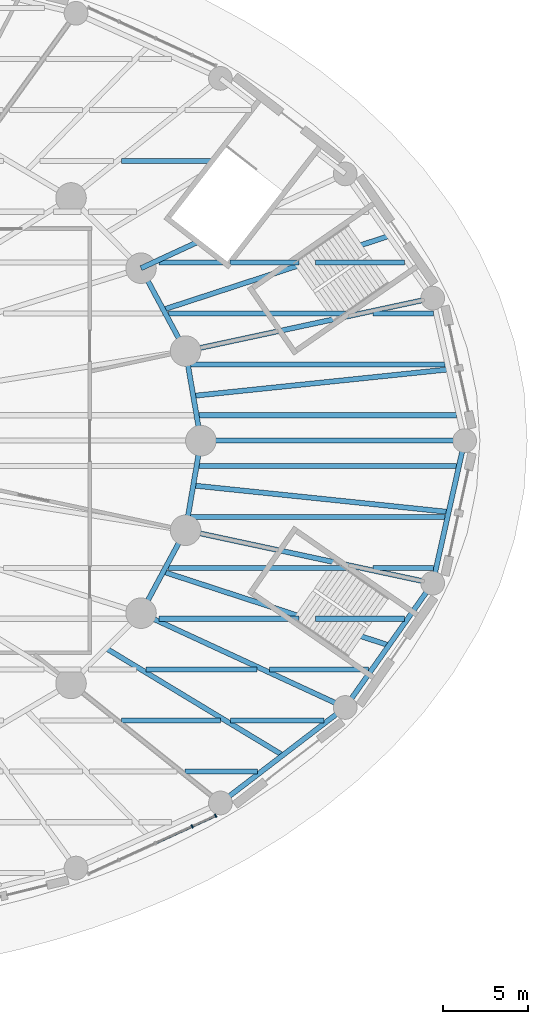
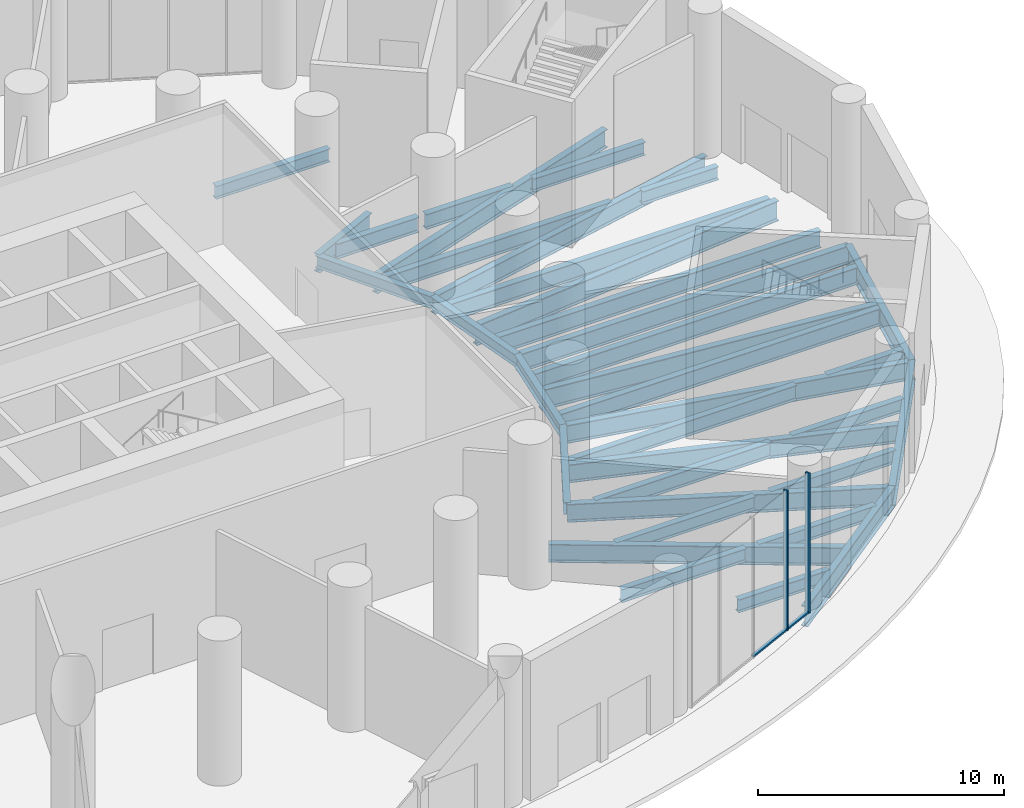
# One storey, part 9 of 22: 36 beams, 4 members, 1 element without a shape of its own.
"""IFC4 building model written with IfcOpenShell, lengths in metres."""

from ifc_helpers import new_model, si_unit, direction, frame, origin, origin_2d, place, context, subcontext, project, spatial, rectangle, i_section, extrude, material, material_profile, profile_set, type_object, element, aggregate, save


model = new_model("IFC4")

# Units and contexts
model_context = context("Model", 3, precision=1e-05, world=origin(), true_north=direction((0.0, 1.0)))
body_context = subcontext(model_context, "Body", "Model", "MODEL_VIEW")
ifc_project = project(units=[si_unit("LENGTHUNIT", "METRE"), si_unit("AREAUNIT", "SQUARE_METRE"), si_unit("VOLUMEUNIT", "CUBIC_METRE"), si_unit("PLANEANGLEUNIT", "RADIAN"), si_unit("MASSUNIT", "GRAM", prefix="KILO")], contexts=[model_context])

# Site, building, storey
site_placement = place(None, origin())
site = spatial("IfcSite", under=ifc_project, at=site_placement, CompositionType="ELEMENT")
building_placement = place(site_placement, origin())
building = spatial("IfcBuilding", under=site, at=building_placement, Name="Hankou Lantern Tower", CompositionType="ELEMENT")
storey_placement = place(building_placement, origin())
storey = spatial("IfcBuildingStorey", under=building, at=storey_placement, Name="L00", CompositionType="ELEMENT", Elevation=0.0)

# Beams
ifc_material_1 = material(Name="Steel Q355B", Category="steel")
ifc_material_profile_1 = material_profile(ifc_material_1, i_section(OverallWidth=0.300048828125, OverallDepth=0.587890625, WebThickness=0.011962890625, FlangeThickness=0.02001953125, FilletRadius=0.01806640625, at=origin_2d()), Name="HM588x300x12x20")
ifc_profile_set_1 = profile_set([ifc_material_profile_1], Name="Steel Q355B")
beam_type_1 = type_object("IfcBeamType", Name="EB16 RING BEAM HM588x300x12x20", PredefinedType="SPANDREL", material=ifc_profile_set_1)
beam_1_placement = place(storey_placement, frame((25.550048828125, 0.0, -0.5439453125), z_axis=(-0.168489691988, 0.985703415685, 0.0), x_axis=(-0.985703415685, -0.168489691988, 0.0)))
element("IfcBeam", 1, at=beam_1_placement, inside=storey, type_object=beam_type_1, Name="Ring beam R01-R02 L00", PredefinedType="SPANDREL", context=body_context, shape_type="SweptSolid", body=[
    extrude(i_section(OverallWidth=0.300048828125, OverallDepth=0.587890625, WebThickness=0.011962890625, FlangeThickness=0.02001953125, FilletRadius=0.01806640625, at=origin_2d()), origin(), (0.0, 0.0, 1.0), 5.35986328125),
])
for number, where, z_axis, x_axis, name in (
    (2, (24.64697265625, 5.283203125, -0.5439453125), (-0.473609096023, 0.880735161194, 0.0), (-0.880735161194, -0.473609096023, 0.0), "Ring beam R02-R03 L00"),
    (3, (22.01904296875, -10.170166015625, -0.5439453125), (0.473609096023, 0.880735161194, 0.0), (-0.880735161194, 0.473609096023, 0.0), "Ring beam R23-R24 L00"),
):
    element("IfcBeam", number, at=place(storey_placement, frame(where, z_axis=z_axis, x_axis=x_axis)), inside=storey, type_object=beam_type_1, Name=name, PredefinedType="SPANDREL", context=body_context, shape_type="SweptSolid", body=[
        extrude(i_section(OverallWidth=0.300048828125, OverallDepth=0.587890625, WebThickness=0.011962890625, FlangeThickness=0.02001953125, FilletRadius=0.01806640625, at=origin_2d()), origin(), (0.0, 0.0, 1.0), 5.548828125),
    ])
beam_2_placement = place(storey_placement, frame((24.64697265625, -5.283203125, -0.5439453125), z_axis=(0.168489691988, 0.985703415685, 0.0), x_axis=(-0.985703415685, 0.168489691988, 0.0)))
element("IfcBeam", 4, at=beam_2_placement, inside=storey, type_object=beam_type_1, Name="Ring beam R24-R01 L00", PredefinedType="SPANDREL", context=body_context, shape_type="SweptSolid", body=[
    extrude(i_section(OverallWidth=0.300048828125, OverallDepth=0.587890625, WebThickness=0.011962890625, FlangeThickness=0.02001953125, FilletRadius=0.01806640625, at=origin_2d()), origin(), (0.0, 0.0, 1.0), 5.35986328125),
])

# Curtain wall, members
ifc_material_2 = material(Name="Glass, dark grey tinted laminated", Category="glass")
curtain_wall_type = type_object("IfcCurtainWallType", Name="CWP PODIUM CURTAIN WALL", PredefinedType="USERDEFINED", material=ifc_material_2)
curtain_wall_placement = place(storey_placement, origin())
curtain_wall = element("IfcCurtainWall", 5, at=curtain_wall_placement, inside=storey, type_object=curtain_wall_type, Name="CWP L00 PC07", ObjectType="PODIUM GLAZING", PredefinedType="USERDEFINED")
ifc_material_3 = material(Name="Aluminium, black anodised", Category="aluminium")
ifc_material_profile_2 = material_profile(ifc_material_3, rectangle(XDim=0.080078125, YDim=0.199951171875, at=origin_2d()), Name="MU2 80X200")
ifc_profile_set_2 = profile_set([ifc_material_profile_2], Name="Aluminium, black anodised")
member_type_1 = type_object("IfcMemberType", Name="MU2 PODIUM MULLION 80X200", PredefinedType="MULLION", material=ifc_profile_set_2)
member_1_placement = place(storey_placement, frame((25.034423828125, -22.743408203125, 0.0), z_axis=(0.0, 0.0, 1.0), x_axis=(0.909669790944, 0.41533224224, 0.0)))
member_1 = element("IfcMember", 6, at=member_1_placement, type_object=member_type_1, Name="CWP mullion 4", PredefinedType="MULLION", context=body_context, shape_type="SweptSolid", body=[
    extrude(rectangle(XDim=0.080078125, YDim=0.199951171875, at=origin_2d()), origin(), (0.0, 0.0, 1.0), 6.949951171875),
])
member_2_placement = place(storey_placement, frame((26.421630859375, -22.10986328125, 0.0), z_axis=(0.0, 0.0, 1.0), x_axis=(0.909669790944, 0.41533224224, 0.0)))
member_2 = element("IfcMember", 7, at=member_2_placement, type_object=member_type_1, Name="CWP mullion 5", PredefinedType="MULLION", context=body_context, shape_type="SweptSolid", body=[
    extrude(rectangle(XDim=0.080078125, YDim=0.199951171875, at=origin_2d()), origin(), (0.0, 0.0, 1.0), 6.949951171875),
])

# Beams
ifc_material_4 = material(Name="Steel Q355B", Category="steel")
ifc_material_profile_3 = material_profile(ifc_material_4, i_section(OverallWidth=0.300048828125, OverallDepth=0.89990234375, WebThickness=0.01611328125, FlangeThickness=0.028076171875, FilletRadius=0.01806640625, at=origin_2d()), Name="HN900x300x16x28")
ifc_profile_set_3 = profile_set([ifc_material_profile_3], Name="Steel Q355B")
beam_type_2 = type_object("IfcBeamType", Name="PB13 PODIUM RADIAL BEAM HN900x300x16x28", PredefinedType="BEAM", material=ifc_profile_set_3)
beam_3_placement = place(storey_placement, frame((25.550048828125, 0.0, -0.699951171875), z_axis=(1.0, 0.0, 0.0), x_axis=(0.0, 1.0, 0.0)))
element("IfcBeam", 8, at=beam_3_placement, inside=storey, type_object=beam_type_2, Name="Podium radial beam R01 L00", PredefinedType="BEAM", context=body_context, shape_type="SweptSolid", body=[
    extrude(i_section(OverallWidth=0.300048828125, OverallDepth=0.89990234375, WebThickness=0.01611328125, FlangeThickness=0.028076171875, FilletRadius=0.01806640625, at=origin_2d()), origin(), (0.0, 0.0, 1.0), 15.550048828125),
])
beam_4_placement = place(storey_placement, frame((24.64697265625, 5.283203125, -0.699951171875), z_axis=(0.977784908271, 0.209610765845, 0.0), x_axis=(-0.209610765845, 0.977784908271, 0.0)))
element("IfcBeam", 9, at=beam_4_placement, inside=storey, type_object=beam_type_2, Name="Podium radial beam R02 L00", PredefinedType="BEAM", context=body_context, shape_type="SweptSolid", body=[
    extrude(i_section(OverallWidth=0.300048828125, OverallDepth=0.89990234375, WebThickness=0.01611328125, FlangeThickness=0.028076171875, FilletRadius=0.01806640625, at=origin_2d()), origin(), (0.0, 0.0, 1.0), 14.901611328125),
])
beam_5_placement = place(storey_placement, frame((22.01904296875, 10.170166015625, -0.699951171875), z_axis=(0.907835100411, 0.419327354774, 0.0), x_axis=(-0.419327354774, 0.907835100411, 0.0)))
element("IfcBeam", 10, at=beam_5_placement, inside=storey, type_object=beam_type_2, Name="Podium radial beam R03 L00 inner part", PredefinedType="BEAM", context=body_context, shape_type="SweptSolid", body=[
    extrude(i_section(OverallWidth=0.300048828125, OverallDepth=0.89990234375, WebThickness=0.01611328125, FlangeThickness=0.028076171875, FilletRadius=0.01806640625, at=origin_2d()), origin(), (0.0, 0.0, 1.0), 3.680908203125),
])
beam_6_placement = place(storey_placement, frame((22.01904296875, -10.170166015625, -0.699951171875), z_axis=(0.907840792808, -0.419315030633, 0.0), x_axis=(0.419315030633, 0.907840792808, 0.0)))
element("IfcBeam", 11, at=beam_6_placement, inside=storey, type_object=beam_type_2, Name="Podium radial beam R23 L00", PredefinedType="BEAM", context=body_context, shape_type="SweptSolid", body=[
    extrude(i_section(OverallWidth=0.300048828125, OverallDepth=0.89990234375, WebThickness=0.01611328125, FlangeThickness=0.028076171875, FilletRadius=0.01806640625, at=origin_2d()), origin(), (0.0, 0.0, 1.0), 13.259765625),
])
beam_7_placement = place(storey_placement, frame((24.64697265625, -5.283203125, -0.699951171875), z_axis=(0.977784908271, -0.209610765845, 0.0), x_axis=(0.209610765845, 0.977784908271, 0.0)))
element("IfcBeam", 12, at=beam_7_placement, inside=storey, type_object=beam_type_2, Name="Podium radial beam R24 L00", PredefinedType="BEAM", context=body_context, shape_type="SweptSolid", body=[
    extrude(i_section(OverallWidth=0.300048828125, OverallDepth=0.89990234375, WebThickness=0.01611328125, FlangeThickness=0.028076171875, FilletRadius=0.01806640625, at=origin_2d()), origin(), (0.0, 0.0, 1.0), 14.901611328125),
])
ifc_material_5 = material(Name="Steel Q355B", Category="steel")
ifc_material_profile_4 = material_profile(ifc_material_5, i_section(OverallWidth=0.300048828125, OverallDepth=1.0, WebThickness=0.01904296875, FlangeThickness=0.035888671875, FilletRadius=0.01806640625, at=origin_2d()), Name="HN1000x300x19x36")
ifc_profile_set_4 = profile_set([ifc_material_profile_4], Name="Steel Q355B")
beam_type_3 = type_object("IfcBeamType", Name="PR22 PODIUM RING BEAM HN1000x300x19x36", PredefinedType="BEAM", material=ifc_profile_set_4)
beam_8_placement = place(storey_placement, frame((26.7021484375, -21.361572265625, -0.75), z_axis=(0.793985875103, 0.607936205647, 0.0), x_axis=(-0.607936205647, 0.793985875103, 0.0)))
element("IfcBeam", 13, at=beam_8_placement, inside=storey, type_object=beam_type_3, Name="Podium ring beam R22-R23 L00", PredefinedType="BEAM", context=body_context, shape_type="SweptSolid", body=[
    extrude(i_section(OverallWidth=0.300048828125, OverallDepth=1.0, WebThickness=0.01904296875, FlangeThickness=0.035888671875, FilletRadius=0.01806640625, at=origin_2d()), origin(), (0.0, 0.0, 1.0), 9.262939453125),
])
beam_9_placement = place(storey_placement, frame((34.056884765625, -15.730224609375, -0.75), z_axis=(0.576021821376, 0.817434316199, 0.0), x_axis=(-0.817434316199, 0.576021821376, 0.0)))
element("IfcBeam", 14, at=beam_9_placement, inside=storey, type_object=beam_type_3, Name="Podium ring beam R23-R24 L00", PredefinedType="BEAM", context=body_context, shape_type="SweptSolid", body=[
    extrude(i_section(OverallWidth=0.300048828125, OverallDepth=1.0, WebThickness=0.01904296875, FlangeThickness=0.035888671875, FilletRadius=0.01806640625, at=origin_2d()), origin(), (0.0, 0.0, 1.0), 8.959228515625),
])
beam_10_placement = place(storey_placement, frame((39.217529296875, -8.40673828125, -0.75), z_axis=(0.218523498172, 0.975831686689, 0.0), x_axis=(-0.975831686689, 0.218523498172, 0.0)))
element("IfcBeam", 15, at=beam_10_placement, inside=storey, type_object=beam_type_3, Name="Podium ring beam R24-R01 L00", PredefinedType="BEAM", context=body_context, shape_type="SweptSolid", body=[
    extrude(i_section(OverallWidth=0.300048828125, OverallDepth=1.0, WebThickness=0.01904296875, FlangeThickness=0.035888671875, FilletRadius=0.01806640625, at=origin_2d()), origin(), (0.0, 0.0, 1.0), 8.614990234375),
])
ifc_material_6 = material(Name="Steel Q355B", Category="steel")
ifc_material_profile_5 = material_profile(ifc_material_6, i_section(OverallWidth=0.300048828125, OverallDepth=0.89990234375, WebThickness=0.01611328125, FlangeThickness=0.028076171875, FilletRadius=0.01806640625, at=origin_2d()), Name="HN900x300x16x28")
ifc_profile_set_5 = profile_set([ifc_material_profile_5], Name="Steel Q355B")
beam_type_4 = type_object("IfcBeamType", Name="PS13 PODIUM SECONDARY BEAM HN900x300x16x28", PredefinedType="JOIST", material=ifc_profile_set_5)
beam_11_placement = place(storey_placement, frame((23.3330078125, 7.726806640625, -0.699951171875), z_axis=(0.950661853908, 0.310229011415, 0.0), x_axis=(-0.310229011415, 0.950661853908, 0.0)))
element("IfcBeam", 16, at=beam_11_placement, inside=storey, type_object=beam_type_4, Name="Podium secondary beam bay R02 L00", PredefinedType="JOIST", context=body_context, shape_type="SweptSolid", body=[
    extrude(i_section(OverallWidth=0.300048828125, OverallDepth=0.89990234375, WebThickness=0.01611328125, FlangeThickness=0.028076171875, FilletRadius=0.01806640625, at=origin_2d()), origin(), (0.0, 0.0, 1.0), 13.99462890625),
])
beam_12_placement = place(storey_placement, frame((19.955322265625, -12.24169921875, -0.699951171875), z_axis=(0.855685755165, -0.517495785884, 0.0), x_axis=(0.517495785884, 0.855685755165, 0.0)))
element("IfcBeam", 17, at=beam_12_placement, inside=storey, type_object=beam_type_4, Name="Podium secondary beam bay R22 L00", PredefinedType="JOIST", context=body_context, shape_type="SweptSolid", body=[
    extrude(i_section(OverallWidth=0.300048828125, OverallDepth=0.89990234375, WebThickness=0.01611328125, FlangeThickness=0.028076171875, FilletRadius=0.01806640625, at=origin_2d()), origin(), (0.0, 0.0, 1.0), 12.18212890625),
])
beam_13_placement = place(storey_placement, frame((23.3330078125, -7.726806640625, -0.699951171875), z_axis=(0.950661853908, -0.310229011415, 0.0), x_axis=(0.310229011415, 0.950661853908, 0.0)))
element("IfcBeam", 18, at=beam_13_placement, inside=storey, type_object=beam_type_4, Name="Podium secondary beam bay R23 L00", PredefinedType="JOIST", context=body_context, shape_type="SweptSolid", body=[
    extrude(i_section(OverallWidth=0.300048828125, OverallDepth=0.89990234375, WebThickness=0.01611328125, FlangeThickness=0.028076171875, FilletRadius=0.01806640625, at=origin_2d()), origin(), (0.0, 0.0, 1.0), 13.99462890625),
])
ifc_material_7 = material(Name="Steel Q355B", Category="steel")
ifc_material_profile_6 = material_profile(ifc_material_7, i_section(OverallWidth=0.300048828125, OverallDepth=1.0, WebThickness=0.01904296875, FlangeThickness=0.035888671875, FilletRadius=0.01806640625, at=origin_2d()), Name="HN1000x300x19x36")
ifc_profile_set_6 = profile_set([ifc_material_profile_6], Name="Steel Q355B")
beam_type_5 = type_object("IfcBeamType", Name="PS22 PODIUM SECONDARY BEAM HN1000x300x19x36", PredefinedType="JOIST", material=ifc_profile_set_6)
for number, where, z_axis, x_axis, name in (
    (19, (25.098388671875, 2.6416015625, -0.75), (0.994666039581, 0.103147805132, 0.0), (-0.103147805132, 0.994666039581, 0.0), "Podium secondary beam bay R01 L00"),
    (20, (25.098388671875, -2.6416015625, -0.75), (0.994666039581, -0.103147805132, 0.0), (0.103147805132, 0.994666039581, 0.0), "Podium secondary beam bay R24 L00"),
):
    element("IfcBeam", number, at=place(storey_placement, frame(where, z_axis=z_axis, x_axis=x_axis)), inside=storey, type_object=beam_type_5, Name=name, PredefinedType="JOIST", context=body_context, shape_type="SweptSolid", body=[
        extrude(i_section(OverallWidth=0.300048828125, OverallDepth=1.0, WebThickness=0.01904296875, FlangeThickness=0.035888671875, FilletRadius=0.01806640625, at=origin_2d()), origin(), (0.0, 0.0, 1.0), 15.14111328125),
    ])
ifc_material_8 = material(Name="Steel Q355B", Category="steel")
ifc_material_profile_7 = material_profile(ifc_material_8, i_section(OverallWidth=0.300048828125, OverallDepth=0.75, WebThickness=0.012939453125, FlangeThickness=0.02392578125, FilletRadius=0.01806640625, at=origin_2d()), Name="HN750x300x13x24")
ifc_profile_set_7 = profile_set([ifc_material_profile_7], Name="Steel Q355B")
beam_type_6 = type_object("IfcBeamType", Name="SB10 SECONDARY BEAM HN750x300x13x24", PredefinedType="JOIST", material=ifc_profile_set_7)
beam_14_placement = place(storey_placement, frame((23.0908203125, -10.5, -0.625), z_axis=(1.0, 0.0, 0.0), x_axis=(0.0, 1.0, 0.0)))
element("IfcBeam", 21, at=beam_14_placement, inside=storey, type_object=beam_type_6, Name="Floor joist J069 L00", PredefinedType="JOIST", context=body_context, shape_type="SweptSolid", body=[
    extrude(i_section(OverallWidth=0.300048828125, OverallDepth=0.75, WebThickness=0.012939453125, FlangeThickness=0.02392578125, FilletRadius=0.01806640625, at=origin_2d()), origin(), (0.0, 0.0, 1.0), 8.2568359375),
])
for number, where, z_axis, x_axis, name in (
    (22, (23.625244140625, -7.5, -0.625), (1.0, 0.0, 0.0), (0.0, 1.0, 0.0), "Floor joist J075 L00"),
    (23, (23.625244140625, 7.5, -0.625), (1.0, 0.0, 0.0), (0.0, 1.0, 0.0), "Floor joist J101 L00"),
):
    element("IfcBeam", number, at=place(storey_placement, frame(where, z_axis=z_axis, x_axis=x_axis)), inside=storey, type_object=beam_type_6, Name=name, PredefinedType="JOIST", context=body_context, shape_type="SweptSolid", body=[
        extrude(i_section(OverallWidth=0.300048828125, OverallDepth=0.75, WebThickness=0.012939453125, FlangeThickness=0.02392578125, FilletRadius=0.01806640625, at=origin_2d()), origin(), (0.0, 0.0, 1.0), 10.647216796875),
    ])
beam_15_placement = place(storey_placement, frame((23.0908203125, 10.5, -0.625), z_axis=(1.0, 0.0, 0.0), x_axis=(0.0, 1.0, 0.0)))
element("IfcBeam", 24, at=beam_15_placement, inside=storey, type_object=beam_type_6, Name="Floor joist J113 L00", PredefinedType="JOIST", context=body_context, shape_type="SweptSolid", body=[
    extrude(i_section(OverallWidth=0.300048828125, OverallDepth=0.75, WebThickness=0.012939453125, FlangeThickness=0.02392578125, FilletRadius=0.01806640625, at=origin_2d()), origin(), (0.0, 0.0, 1.0), 3.834228515625),
])
beam_16_placement = place(storey_placement, frame((27.26171875, 10.5, -0.625), z_axis=(1.0, 0.0, 0.0), x_axis=(0.0, 1.0, 0.0)))
element("IfcBeam", 25, at=beam_16_placement, inside=storey, type_object=beam_type_6, Name="Floor joist J113B L00", PredefinedType="JOIST", context=body_context, shape_type="SweptSolid", body=[
    extrude(i_section(OverallWidth=0.300048828125, OverallDepth=0.75, WebThickness=0.012939453125, FlangeThickness=0.02392578125, FilletRadius=0.01806640625, at=origin_2d()), origin(), (0.0, 0.0, 1.0), 4.0859375),
])
ifc_material_9 = material(Name="Steel Q355B", Category="steel")
ifc_material_profile_8 = material_profile(ifc_material_9, i_section(OverallWidth=0.300048828125, OverallDepth=0.85009765625, WebThickness=0.01611328125, FlangeThickness=0.027099609375, FilletRadius=0.01806640625, at=origin_2d()), Name="HN850x300x16x27")
ifc_profile_set_8 = profile_set([ifc_material_profile_8], Name="Steel Q355B")
beam_type_7 = type_object("IfcBeamType", Name="SB12 SECONDARY BEAM HN850x300x16x27", PredefinedType="JOIST", material=ifc_profile_set_8)
beam_17_placement = place(storey_placement, frame((24.93310546875, -4.5, -0.675048828125), z_axis=(1.0, 0.0, 0.0), x_axis=(0.0, 1.0, 0.0)))
element("IfcBeam", 26, at=beam_17_placement, inside=storey, type_object=beam_type_7, Name="Floor joist J082 L00", PredefinedType="JOIST", context=body_context, shape_type="SweptSolid", body=[
    extrude(i_section(OverallWidth=0.300048828125, OverallDepth=0.85009765625, WebThickness=0.01611328125, FlangeThickness=0.027099609375, FilletRadius=0.01806640625, at=origin_2d()), origin(), (0.0, 0.0, 1.0), 15.005615234375),
])
for number, where, z_axis, x_axis, name in (
    (27, (25.44580078125, -1.5, -0.675048828125), (1.0, 0.0, 0.0), (0.0, 1.0, 0.0), "Floor joist J086 L00"),
    (28, (25.44580078125, 1.5, -0.675048828125), (1.0, 0.0, 0.0), (0.0, 1.0, 0.0), "Floor joist J090 L00"),
):
    element("IfcBeam", number, at=place(storey_placement, frame(where, z_axis=z_axis, x_axis=x_axis)), inside=storey, type_object=beam_type_7, Name=name, PredefinedType="JOIST", context=body_context, shape_type="SweptSolid", body=[
        extrude(i_section(OverallWidth=0.300048828125, OverallDepth=0.85009765625, WebThickness=0.01611328125, FlangeThickness=0.027099609375, FilletRadius=0.01806640625, at=origin_2d()), origin(), (0.0, 0.0, 1.0), 15.16455078125),
    ])
beam_18_placement = place(storey_placement, frame((24.93310546875, 4.5, -0.675048828125), z_axis=(1.0, 0.0, 0.0), x_axis=(0.0, 1.0, 0.0)))
element("IfcBeam", 29, at=beam_18_placement, inside=storey, type_object=beam_type_7, Name="Floor joist J096 L00", PredefinedType="JOIST", context=body_context, shape_type="SweptSolid", body=[
    extrude(i_section(OverallWidth=0.300048828125, OverallDepth=0.85009765625, WebThickness=0.01611328125, FlangeThickness=0.027099609375, FilletRadius=0.01806640625, at=origin_2d()), origin(), (0.0, 0.0, 1.0), 15.005615234375),
])
ifc_material_10 = material(Name="Steel Q355B", Category="steel")
ifc_material_profile_9 = material_profile(ifc_material_10, i_section(OverallWidth=0.300048828125, OverallDepth=0.64990234375, WebThickness=0.010986328125, FlangeThickness=0.01708984375, FilletRadius=0.01806640625, at=origin_2d()), Name="HN650x300x11x17")
ifc_profile_set_9 = profile_set([ifc_material_profile_9], Name="Steel Q355B")
beam_type_8 = type_object("IfcBeamType", Name="SB8 SECONDARY BEAM HN650x300x11x17", PredefinedType="JOIST", material=ifc_profile_set_9)
beam_19_placement = place(storey_placement, frame((24.615234375, -19.5, -0.574951171875), z_axis=(1.0, 0.0, 0.0), x_axis=(0.0, 1.0, 0.0)))
element("IfcBeam", 30, at=beam_19_placement, inside=storey, type_object=beam_type_8, Name="Floor joist J032 L00", PredefinedType="JOIST", context=body_context, shape_type="SweptSolid", body=[
    extrude(i_section(OverallWidth=0.300048828125, OverallDepth=0.64990234375, WebThickness=0.010986328125, FlangeThickness=0.01708984375, FilletRadius=0.01806640625, at=origin_2d()), origin(), (0.0, 0.0, 1.0), 4.271484375),
])
beam_20_placement = place(storey_placement, frame((20.865234375, -16.5, -0.574951171875), z_axis=(1.0, 0.0, 0.0), x_axis=(0.0, 1.0, 0.0)))
element("IfcBeam", 31, at=beam_20_placement, inside=storey, type_object=beam_type_8, Name="Floor joist J043 L00", PredefinedType="JOIST", context=body_context, shape_type="SweptSolid", body=[
    extrude(i_section(OverallWidth=0.300048828125, OverallDepth=0.64990234375, WebThickness=0.010986328125, FlangeThickness=0.01708984375, FilletRadius=0.01806640625, at=origin_2d()), origin(), (0.0, 0.0, 1.0), 5.84130859375),
])
beam_21_placement = place(storey_placement, frame((27.286376953125, -16.5, -0.574951171875), z_axis=(1.0, 0.0, 0.0), x_axis=(0.0, 1.0, 0.0)))
element("IfcBeam", 32, at=beam_21_placement, inside=storey, type_object=beam_type_8, Name="Floor joist J044 L00", PredefinedType="JOIST", context=body_context, shape_type="SweptSolid", body=[
    extrude(i_section(OverallWidth=0.300048828125, OverallDepth=0.64990234375, WebThickness=0.010986328125, FlangeThickness=0.01708984375, FilletRadius=0.01806640625, at=origin_2d()), origin(), (0.0, 0.0, 1.0), 5.518310546875),
])
beam_22_placement = place(storey_placement, frame((22.32568359375, -13.5, -0.574951171875), z_axis=(1.0, 0.0, 0.0), x_axis=(0.0, 1.0, 0.0)))
element("IfcBeam", 33, at=beam_22_placement, inside=storey, type_object=beam_type_8, Name="Floor joist J057 L00", PredefinedType="JOIST", context=body_context, shape_type="SweptSolid", body=[
    extrude(i_section(OverallWidth=0.300048828125, OverallDepth=0.64990234375, WebThickness=0.010986328125, FlangeThickness=0.01708984375, FilletRadius=0.01806640625, at=origin_2d()), origin(), (0.0, 0.0, 1.0), 6.544921875),
])
beam_23_placement = place(storey_placement, frame((29.586181640625, -13.5, -0.574951171875), z_axis=(1.0, 0.0, 0.0), x_axis=(0.0, 1.0, 0.0)))
element("IfcBeam", 34, at=beam_23_placement, inside=storey, type_object=beam_type_8, Name="Floor joist J058 L00", PredefinedType="JOIST", context=body_context, shape_type="SweptSolid", body=[
    extrude(i_section(OverallWidth=0.300048828125, OverallDepth=0.64990234375, WebThickness=0.010986328125, FlangeThickness=0.01708984375, FilletRadius=0.01806640625, at=origin_2d()), origin(), (0.0, 0.0, 1.0), 5.858642578125),
])
beam_24_placement = place(storey_placement, frame((32.314697265625, -10.5, -0.574951171875), z_axis=(1.0, 0.0, 0.0), x_axis=(0.0, 1.0, 0.0)))
element("IfcBeam", 35, at=beam_24_placement, inside=storey, type_object=beam_type_8, Name="Floor joist J070 L00", PredefinedType="JOIST", context=body_context, shape_type="SweptSolid", body=[
    extrude(i_section(OverallWidth=0.300048828125, OverallDepth=0.64990234375, WebThickness=0.010986328125, FlangeThickness=0.01708984375, FilletRadius=0.01806640625, at=origin_2d()), origin(), (0.0, 0.0, 1.0), 5.244384765625),
])
for number, where, z_axis, x_axis, name in (
    (36, (35.70361328125, -7.5, -0.574951171875), (1.0, 0.0, 0.0), (0.0, 1.0, 0.0), "Floor joist J076 L00"),
    (37, (35.70361328125, 7.5, -0.574951171875), (1.0, 0.0, 0.0), (0.0, 1.0, 0.0), "Floor joist J102 L00"),
):
    element("IfcBeam", number, at=place(storey_placement, frame(where, z_axis=z_axis, x_axis=x_axis)), inside=storey, type_object=beam_type_8, Name=name, PredefinedType="JOIST", context=body_context, shape_type="SweptSolid", body=[
        extrude(i_section(OverallWidth=0.300048828125, OverallDepth=0.64990234375, WebThickness=0.010986328125, FlangeThickness=0.01708984375, FilletRadius=0.01806640625, at=origin_2d()), origin(), (0.0, 0.0, 1.0), 3.563232421875),
    ])
beam_25_placement = place(storey_placement, frame((32.314697265625, 10.5, -0.574951171875), z_axis=(1.0, 0.0, 0.0), x_axis=(0.0, 1.0, 0.0)))
element("IfcBeam", 38, at=beam_25_placement, inside=storey, type_object=beam_type_8, Name="Floor joist J114 L00", PredefinedType="JOIST", context=body_context, shape_type="SweptSolid", body=[
    extrude(i_section(OverallWidth=0.300048828125, OverallDepth=0.64990234375, WebThickness=0.010986328125, FlangeThickness=0.01708984375, FilletRadius=0.01806640625, at=origin_2d()), origin(), (0.0, 0.0, 1.0), 5.244384765625),
])
beam_26_placement = place(storey_placement, frame((20.865234375, 16.5, -0.574951171875), z_axis=(1.0, 0.0, 0.0), x_axis=(0.0, 1.0, 0.0)))
element("IfcBeam", 39, at=beam_26_placement, inside=storey, type_object=beam_type_8, Name="Floor joist J139 L00", PredefinedType="JOIST", context=body_context, shape_type="SweptSolid", body=[
    extrude(i_section(OverallWidth=0.300048828125, OverallDepth=0.64990234375, WebThickness=0.010986328125, FlangeThickness=0.01708984375, FilletRadius=0.01806640625, at=origin_2d()), origin(), (0.0, 0.0, 1.0), 5.355712890625),
])

# Member
ifc_material_11 = material(Name="Aluminium, black anodised", Category="aluminium")
ifc_material_profile_10 = material_profile(ifc_material_11, rectangle(XDim=0.14990234375, YDim=0.080078125, at=origin_2d()), Name="TR2 150X80")
ifc_profile_set_10 = profile_set([ifc_material_profile_10], Name="Aluminium, black anodised")
member_type_2 = type_object("IfcMemberType", Name="TR2 PODIUM TRANSOM 150X80", PredefinedType="USERDEFINED", material=ifc_profile_set_10)
member_3_placement = place(storey_placement, frame((22.909423828125, -23.713623046875, 0.0400390625), z_axis=(0.909669664149, 0.415332519949, 0.0), x_axis=(-0.415332519949, 0.909669664149, 0.0)))
member_3 = element("IfcMember", 40, at=member_3_placement, type_object=member_type_2, Name="CWP transom 3", ObjectType="TRANSOM", PredefinedType="USERDEFINED", context=body_context, shape_type="SweptSolid", body=[
    extrude(rectangle(XDim=0.14990234375, YDim=0.080078125, at=origin_2d()), origin(), (0.0, 0.0, 1.0), 2.296142578125),
])

member_4_placement = place(storey_placement, frame((25.07080078125, -22.726806640625, 0.0400390625), z_axis=(0.909682453266, 0.415304507825, 0.0), x_axis=(-0.415304507825, 0.909682453266, 0.0)))
member_4 = element("IfcMember", 41, at=member_4_placement, type_object=member_type_2, Name="CWP transom 4", ObjectType="TRANSOM", PredefinedType="USERDEFINED", context=body_context, shape_type="SweptSolid", body=[
    extrude(rectangle(XDim=0.14990234375, YDim=0.080078125, at=origin_2d()), origin(), (0.0, 0.0, 1.0), 1.445068359375),
])

aggregate(curtain_wall, [member_1, member_2, member_3, member_4])

save(model, "model.ifc")
